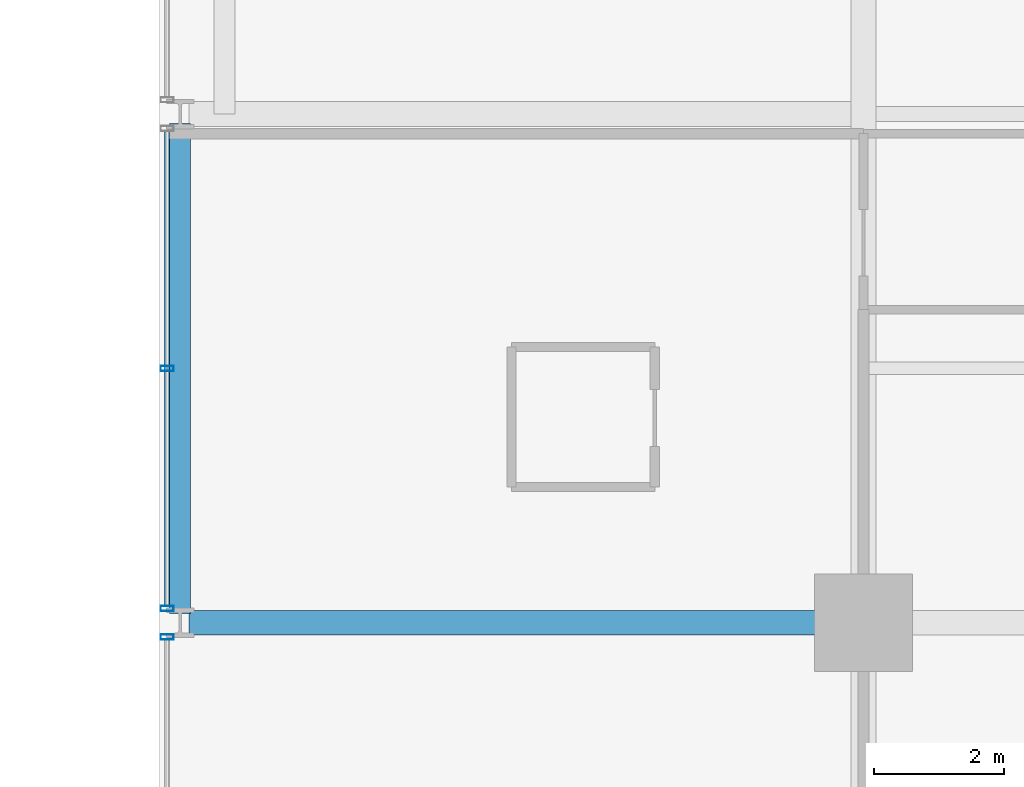
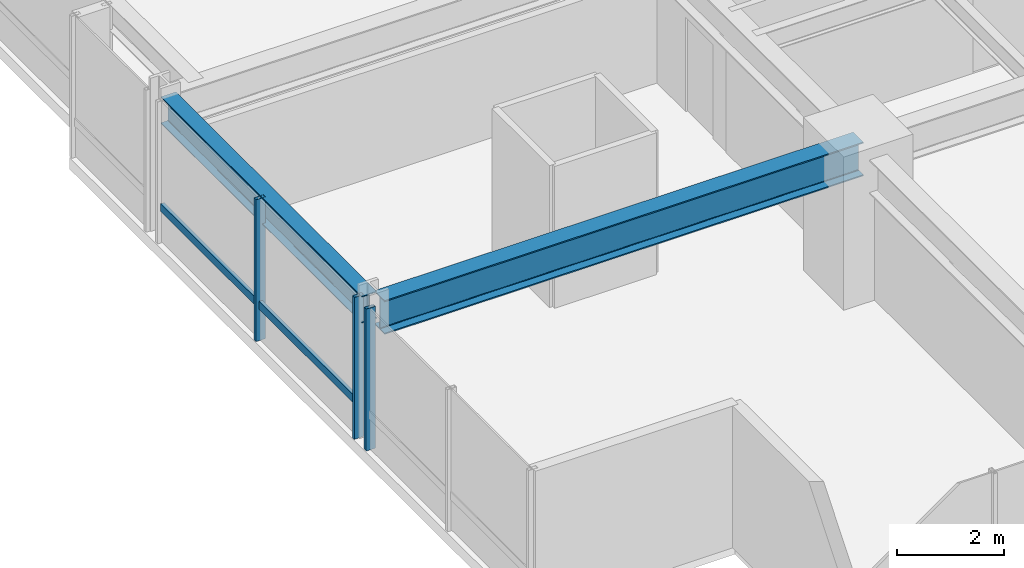
# One storey, part 4 of 34: 4 members, 2 beams, 2 elements without a shape of their own.
"""IFC4 building model written with IfcOpenShell, lengths in metres."""

import ifcopenshell
import ifcopenshell.guid

model = None  # the IFC model being written
_history = None  # IfcOwnerHistory: only IFC2X3 demands one
_inside = {}  # id of a spatial element -> (the spatial element, [elements in it])
_under = {}  # id of a project, library or spatial element -> (it, [spatial elements below it])
_declared = {}  # id of a project -> (the project, [libraries it declares])
_typed = {}  # id of a type object -> (the type object, [elements of that type])
_made_of = {}  # id of a material, layer set ... -> (it, [elements and type objects made of it])


def new_model(schema):
    """Start an empty IFC model of exactly this schema.

    Asked for "IFC4X3", IfcOpenShell would pick the latest addendum, in which some entities
    have other attributes; the version numbers below select the first issue.
    IFC2X3 requires an IfcOwnerHistory on every rooted entity: one is made here for all.
    """
    global model, _history
    if schema == "IFC4X3":
        model = ifcopenshell.file(schema_version=(4, 3, 0, 0))
    else:
        model = ifcopenshell.file(schema=schema)
    _inside.clear()
    _under.clear()
    _declared.clear()
    _typed.clear()
    _made_of.clear()
    _history = None
    if model.schema == "IFC2X3":
        org = make("IfcOrganization", Name="unknown")
        user = make(
            "IfcPersonAndOrganization",
            ThePerson=make("IfcPerson", FamilyName="unknown"),
            TheOrganization=org,
        )
        app = make(
            "IfcApplication",
            ApplicationDeveloper=org,
            Version="unknown",
            ApplicationFullName="unknown",
            ApplicationIdentifier="unknown",
        )
        _history = make(
            "IfcOwnerHistory",
            OwningUser=user,
            OwningApplication=app,
            ChangeAction="ADDED",
            CreationDate=0,
        )
    return model


def make(cls, **values):
    """One entity of the class cls with the attributes given. An attribute that is None is left unset."""
    return model.create_entity(
        cls, **{name: value for name, value in values.items() if value is not None}
    )


def rooted(cls, **values):
    """An entity with a GlobalId (a new one), such as an element, a storey or a relation."""
    return make(cls, GlobalId=ifcopenshell.guid.new(), OwnerHistory=_history, **values)


def si_unit(unit_type, name, prefix=None):
    """IfcSIUnit, for example si_unit("LENGTHUNIT", "METRE", prefix="MILLI")."""
    return make("IfcSIUnit", UnitType=unit_type, Prefix=prefix, Name=name)


def assignment(units):
    """IfcUnitAssignment: the units of a project."""
    return None if units is None else make("IfcUnitAssignment", Units=units)


def point(xyz):
    """IfcCartesianPoint."""
    return None if xyz is None else make("IfcCartesianPoint", Coordinates=xyz)


def direction(xyz):
    """IfcDirection."""
    return None if xyz is None else make("IfcDirection", DirectionRatios=xyz)


def frame(location, z_axis=None, x_axis=None):
    """IfcAxis2Placement3D, a coordinate frame: its origin and axes. An axis left out is left unset."""
    return make(
        "IfcAxis2Placement3D",
        Location=point(location),
        Axis=direction(z_axis),
        RefDirection=direction(x_axis),
    )


def frame_2d(location, x_axis=None):
    """IfcAxis2Placement2D, a coordinate frame in the plane: its origin and x axis."""
    return make(
        "IfcAxis2Placement2D", Location=point(location), RefDirection=direction(x_axis)
    )


def origin():
    """The frame at (0, 0, 0) with its axes left unset."""
    return frame((0.0, 0.0, 0.0))


def origin_2d():
    """The frame at (0, 0) in the plane with its x axis left unset."""
    return frame_2d((0.0, 0.0))


def place(relative_to, where):
    """IfcLocalPlacement: puts the frame where relative to a parent placement (None: the world)."""
    return make(
        "IfcLocalPlacement", PlacementRelTo=relative_to, RelativePlacement=where
    )


def context(
    kind, dimensions, precision=None, world=None, true_north=None, identifier=None
):
    """IfcGeometricRepresentationContext, for example the 3D "Model" context."""
    return make(
        "IfcGeometricRepresentationContext",
        ContextIdentifier=identifier,
        ContextType=kind,
        CoordinateSpaceDimension=dimensions,
        Precision=precision,
        WorldCoordinateSystem=world,
        TrueNorth=true_north,
    )


def subcontext(parent, identifier, kind, view, scale=None):
    """IfcGeometricRepresentationSubContext, for example "Body" below "Model"."""
    return make(
        "IfcGeometricRepresentationSubContext",
        ContextIdentifier=identifier,
        ContextType=kind,
        ParentContext=parent,
        TargetScale=scale,
        TargetView=view,
    )


def project(units=None, contexts=None):
    """IfcProject with its units and contexts."""
    return rooted(
        "IfcProject",
        Name="project",
        RepresentationContexts=contexts,
        UnitsInContext=assignment(units),
    )


def spatial(cls, under=None, at=None, **own):
    """A site, building, storey or space (cls), placed at a placement, below another one or the project."""
    s = rooted(cls, ObjectPlacement=at, **own)
    if under is not None:
        _under.setdefault(under.id(), (under, []))[1].append(s)
    return s


def profile(cls, at=None, kind="AREA", **sizes):
    """A parametric profile (cls). Its sizes go by their IFC names, for example OverallWidth=200.0."""
    return make(cls, ProfileType=kind, Position=at, **sizes)


def hollow_rectangle(**sizes):
    """IfcRectangleHollowProfileDef."""
    return profile("IfcRectangleHollowProfileDef", **sizes)


def i_section(**sizes):
    """IfcIShapeProfileDef."""
    return profile("IfcIShapeProfileDef", **sizes)


def extrude(swept, where, along, depth):
    """IfcExtrudedAreaSolid: the profile swept, set in the frame where, extruded along a direction by depth."""
    return make(
        "IfcExtrudedAreaSolid",
        SweptArea=swept,
        Position=where,
        ExtrudedDirection=direction(along),
        Depth=depth,
    )


def shape(context_of_items, identifier, shape_type, items):
    """IfcShapeRepresentation: the items that make up one representation, for example the "Body"."""
    return make(
        "IfcShapeRepresentation",
        ContextOfItems=context_of_items,
        RepresentationIdentifier=identifier,
        RepresentationType=shape_type,
        Items=items,
    )


def material(Name=None, Category=None):
    """IfcMaterial."""
    return make("IfcMaterial", Name=Name, Category=Category)


def layer(
    of_material, thickness, ventilated=None, Name=None, Category=None, Priority=None
):
    """IfcMaterialLayer: one layer of a wall or slab, of a material (None: an air gap)."""
    return make(
        "IfcMaterialLayer",
        Material=of_material,
        LayerThickness=thickness,
        IsVentilated=ventilated,
        Name=Name,
        Category=Category,
        Priority=Priority,
    )


def layer_set(layers, Name=None):
    """IfcMaterialLayerSet."""
    return make("IfcMaterialLayerSet", MaterialLayers=layers, LayerSetName=Name)


def material_profile(
    of_material, cross_section, Name=None, Category=None, Priority=None
):
    """IfcMaterialProfile: a cross section and its material."""
    return make(
        "IfcMaterialProfile",
        Name=Name,
        Material=of_material,
        Profile=cross_section,
        Priority=Priority,
        Category=Category,
    )


def profile_set(profiles, Name=None, composite=None):
    """IfcMaterialProfileSet."""
    return make(
        "IfcMaterialProfileSet",
        Name=Name,
        MaterialProfiles=profiles,
        CompositeProfile=composite,
    )


def made_of(thing, what):
    """Note that an element or type object is made of a material, layer set ...; save() writes the relation."""
    if what is not None:
        _made_of.setdefault(what.id(), (what, []))[1].append(thing)
    return thing


def type_object(cls, material=None, **own):
    """A type object (cls), such as IfcWallType, which elements share."""
    return made_of(rooted(cls, **own), material)


def element(
    cls,
    number,
    at=None,
    inside=None,
    cuts=None,
    type_object=None,
    material=None,
    context=None,
    identifier="Body",
    shape_type=None,
    held_by="IfcProductDefinitionShape",
    body=None,
    shapes=None,
    **own,
):
    """One element of the class cls, such as IfcWall. Its Tag is "e" and its number.

    at: its placement. inside: the storey or other place that contains it. cuts: it is an
    opening in that element (IfcRelVoidsElement). A single representation is given by context,
    identifier, shape_type and body (its items); several are given by shapes. held_by: the class
    of the entity that holds the representations. save() writes the other relations.
    """
    e = rooted(cls, Tag="e%d" % number, ObjectPlacement=at, **own)
    if body is not None:
        shapes = [shape(context, identifier, shape_type, body)]
    if shapes is not None:
        e.Representation = make(held_by, Representations=shapes)
    if inside is not None:
        _inside.setdefault(inside.id(), (inside, []))[1].append(e)
    if cuts is not None:
        rooted(
            "IfcRelVoidsElement", RelatingBuildingElement=cuts, RelatedOpeningElement=e
        )
    if type_object is not None:
        _typed.setdefault(type_object.id(), (type_object, []))[1].append(e)
    return made_of(e, material)


def aggregate(whole, parts):
    """IfcRelAggregates: a whole, such as a stair, and the parts it consists of."""
    return rooted("IfcRelAggregates", RelatingObject=whole, RelatedObjects=parts)


def save(model, path):
    """Write the relations noted so far, then the file.

    IfcRelAggregates (storeys below a building ...), IfcRelContainedInSpatialStructure (elements
    in a storey), IfcRelDefinesByType, IfcRelAssociatesMaterial and IfcRelDeclares: one each for
    every whole, place, type object, material and project.
    """
    for whole, parts in _under.values():
        aggregate(whole, parts)
    for where, things in _inside.values():
        rooted(
            "IfcRelContainedInSpatialStructure",
            RelatedElements=things,
            RelatingStructure=where,
        )
    for kind, things in _typed.values():
        rooted("IfcRelDefinesByType", RelatedObjects=things, RelatingType=kind)
    for what, things in _made_of.values():
        rooted("IfcRelAssociatesMaterial", RelatedObjects=things, RelatingMaterial=what)
    for by, libraries in _declared.values():
        rooted("IfcRelDeclares", RelatingContext=by, RelatedDefinitions=libraries)
    model.write(path)


model = new_model("IFC4")

# Units and contexts
model_context = context("Model", 3, precision=1e-05, world=origin(), true_north=direction((0.0, 1.0)))
body_context = subcontext(model_context, "Body", "Model", "MODEL_VIEW")
ifc_project = project(units=[si_unit("LENGTHUNIT", "METRE"), si_unit("AREAUNIT", "SQUARE_METRE"), si_unit("VOLUMEUNIT", "CUBIC_METRE"), si_unit("PLANEANGLEUNIT", "RADIAN"), si_unit("MASSUNIT", "GRAM", prefix="KILO")], contexts=[model_context])

# Site, building, storey
site_placement = place(None, origin())
site = spatial("IfcSite", under=ifc_project, at=site_placement, CompositionType="ELEMENT")
building_placement = place(site_placement, origin())
building = spatial("IfcBuilding", under=site, at=building_placement, Name="Drelvath Grand Hotel", CompositionType="ELEMENT")
storey_placement = place(building_placement, frame((0.0, 0.0, 102.300048828125)))
storey = spatial("IfcBuildingStorey", under=building, at=storey_placement, Name="L25", CompositionType="ELEMENT", Elevation=102.300048828125)

# Curtain wall, member
ifc_material_1 = material(Name="Champagne Bronze Anodised Aluminium Frame", Category="aluminium")
ifc_layer = layer(ifc_material_1, 0.199951171875)
ifc_layer_set = layer_set([ifc_layer], Name="Champagne Bronze Anodised Aluminium Frame")
curtain_wall_type = type_object("IfcCurtainWallType", Name="Stick Curtain Wall CW-03 Champagne Bronze Mid-Rise", PredefinedType="NOTDEFINED", material=ifc_layer_set)
curtain_wall_1_placement = place(storey_placement, origin())
curtain_wall_1 = element("IfcCurtainWall", 1, at=curtain_wall_1_placement, inside=storey, type_object=curtain_wall_type, Name="L25 CW-03 Curtain Wall CW03-L25-WS2", PredefinedType="NOTDEFINED")
ifc_material_profile_1 = material_profile(ifc_material_1, hollow_rectangle(XDim=0.074951171875, YDim=0.179931640625, WallThickness=0.0048828125, at=origin_2d()), Name="HSS180X75X5")
ifc_profile_set_1 = profile_set([ifc_material_profile_1], Name="Champagne Bronze Anodised Aluminium Frame")
member_type_1 = type_object("IfcMemberType", Name="Curtain Wall Horizontal Transom CW-03 HSS180X75X5", PredefinedType="USERDEFINED", material=ifc_profile_set_1)
member_1_placement = place(storey_placement, frame((-26.8798828125, 11.0595703125, 0.81005859375), z_axis=(0.0, 1.0, 0.0), x_axis=(-1.0, 0.0, 0.0)))
member_1 = element("IfcMember", 2, at=member_1_placement, type_object=member_type_1, Name="CW03-L25-WS2 Sill Transom", ObjectType="TRANSOM", PredefinedType="USERDEFINED", context=body_context, shape_type="SweptSolid", body=[
    extrude(hollow_rectangle(XDim=0.074951171875, YDim=0.179931640625, WallThickness=0.0048828125, at=origin_2d()), origin(), (0.0, 0.0, 1.0), 7.28076171875),
])

curtain_wall_2_placement = place(storey_placement, origin())
curtain_wall_2 = element("IfcCurtainWall", 3, at=curtain_wall_2_placement, inside=storey, type_object=curtain_wall_type, Name="L25 CW-03 Curtain Wall CW03-L25-WS1", PredefinedType="NOTDEFINED")
ifc_material_profile_2 = material_profile(ifc_material_1, hollow_rectangle(XDim=0.080078125, YDim=0.199951171875, WallThickness=0.0048828125, at=origin_2d()), Name="HSS200X80X5")
ifc_profile_set_2 = profile_set([ifc_material_profile_2], Name="Champagne Bronze Anodised Aluminium Frame")
member_type_2 = type_object("IfcMemberType", Name="Curtain Wall Vertical Mullion CW-03 HSS200X80X5", PredefinedType="MULLION", material=ifc_profile_set_2)
member_2_placement = place(storey_placement, frame((-26.8798828125, 10.580322265625, 0.0), z_axis=(0.0, 0.0, 1.0), x_axis=(0.0, 1.0, 0.0)))
member_2 = element("IfcMember", 4, at=member_2_placement, type_object=member_type_2, Name="CW03-L25-WS1 Mullion 3", PredefinedType="MULLION", context=body_context, shape_type="SweptSolid", body=[
    extrude(hollow_rectangle(XDim=0.080078125, YDim=0.199951171875, WallThickness=0.0048828125, at=origin_2d()), origin(), (0.0, 0.0, 1.0), 3.239990234375),
])
aggregate(curtain_wall_2, [member_2])

# Member
member_3_placement = place(storey_placement, frame((-26.8798828125, 11.01953125, 0.0), z_axis=(0.0, 0.0, 1.0), x_axis=(0.0, 1.0, 0.0)))
member_3 = element("IfcMember", 5, at=member_3_placement, type_object=member_type_2, Name="CW03-L25-WS2 Mullion 1", PredefinedType="MULLION", context=body_context, shape_type="SweptSolid", body=[
    extrude(hollow_rectangle(XDim=0.080078125, YDim=0.199951171875, WallThickness=0.0048828125, at=origin_2d()), origin(), (0.0, 0.0, 1.0), 3.239990234375),
])

member_4_placement = place(storey_placement, frame((-26.8798828125, 14.699951171875, 0.0), z_axis=(0.0, 0.0, 1.0), x_axis=(0.0, 1.0, 0.0)))
member_4 = element("IfcMember", 6, at=member_4_placement, type_object=member_type_2, Name="CW03-L25-WS2 Mullion 2", PredefinedType="MULLION", context=body_context, shape_type="SweptSolid", body=[
    extrude(hollow_rectangle(XDim=0.080078125, YDim=0.199951171875, WallThickness=0.0048828125, at=origin_2d()), origin(), (0.0, 0.0, 1.0), 3.239990234375),
])

aggregate(curtain_wall_1, [member_3, member_4, member_1])

# Beams
ifc_material_2 = material(Name="Steel ASTM A992 Gr 50", Category="steel")
ifc_material_profile_3 = material_profile(ifc_material_2, i_section(OverallWidth=0.323974609375, OverallDepth=0.611083984375, WebThickness=0.0126953125, FlangeThickness=0.01904296875, FilletRadius=0.02197265625, at=origin_2d()), Name="W24X104")
ifc_profile_set_3 = profile_set([ifc_material_profile_3], Name="Steel ASTM A992 Gr 50")
beam_type_1 = type_object("IfcBeamType", Name="Perimeter Spandrel Beam W24X104", PredefinedType="SPANDREL", material=ifc_profile_set_3)
beam_1_placement = place(storey_placement, frame((-26.679931640625, 10.93994140625, 2.9345703125), z_axis=(0.0, 1.0, 0.0), x_axis=(-1.0, 0.0, 0.0)))
element("IfcBeam", 7, at=beam_1_placement, inside=storey, type_object=beam_type_1, Name="L25 Spandrel West S", PredefinedType="SPANDREL", context=body_context, shape_type="SweptSolid", body=[
    extrude(i_section(OverallWidth=0.323974609375, OverallDepth=0.611083984375, WebThickness=0.0126953125, FlangeThickness=0.01904296875, FilletRadius=0.02197265625, at=origin_2d()), origin(), (0.0, 0.0, 1.0), 7.52001953125),
])
ifc_material_profile_4 = material_profile(ifc_material_2, i_section(OverallWidth=0.380615234375, OverallDepth=0.773193359375, WebThickness=0.0166015625, FlangeThickness=0.027099609375, FilletRadius=0.02490234375, at=origin_2d()), Name="W30X173")
ifc_profile_set_4 = profile_set([ifc_material_profile_4], Name="Steel ASTM A992 Gr 50")
beam_type_2 = type_object("IfcBeamType", Name="Primary Floor Girder W30X173", PredefinedType="BEAM", material=ifc_profile_set_4)
beam_2_placement = place(storey_placement, frame((-26.5400390625, 10.800048828125, 2.853271484375), z_axis=(1.0, 0.0, 0.0), x_axis=(0.0, 1.0, 0.0)))
element("IfcBeam", 8, at=beam_2_placement, inside=storey, type_object=beam_type_2, Name="L25 West Grid Girder C", PredefinedType="BEAM", context=body_context, shape_type="SweptSolid", body=[
    extrude(i_section(OverallWidth=0.380615234375, OverallDepth=0.773193359375, WebThickness=0.0166015625, FlangeThickness=0.027099609375, FilletRadius=0.02490234375, at=origin_2d()), origin(), (0.0, 0.0, 1.0), 10.340087890625),
])

save(model, "model.ifc")
